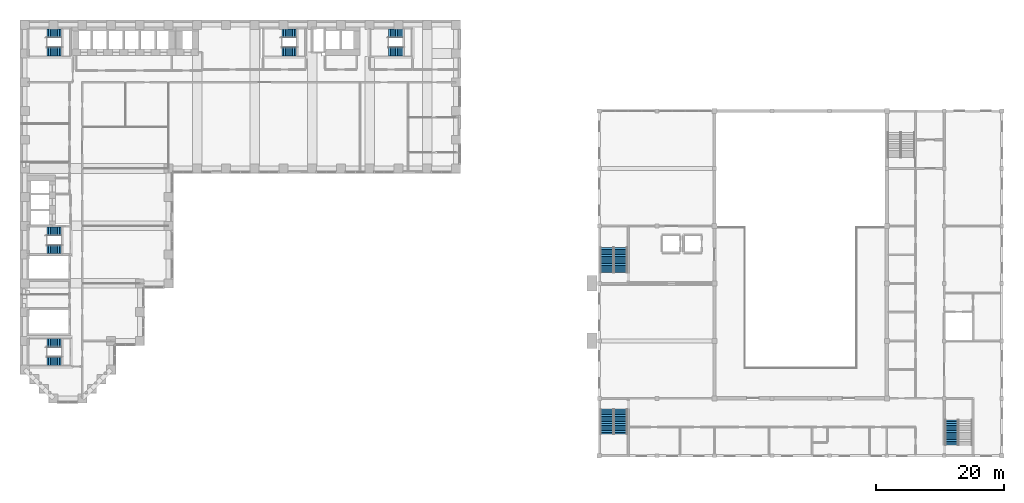
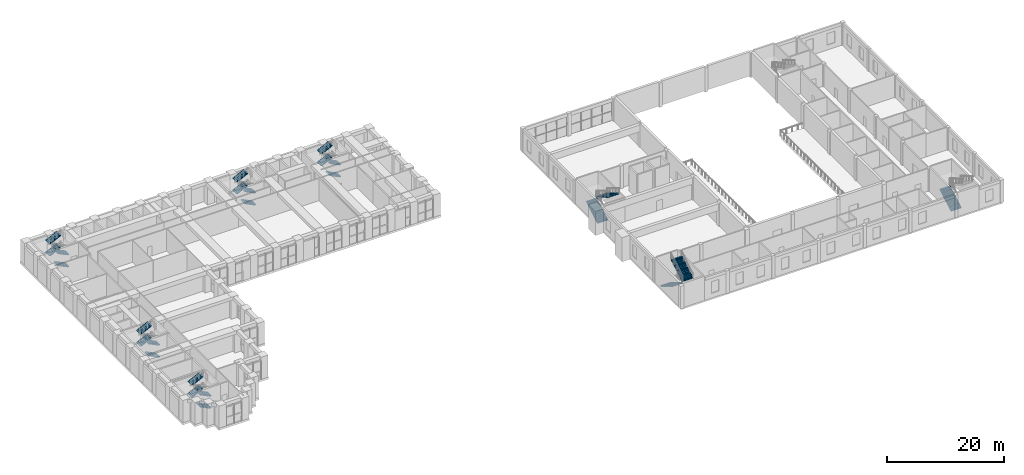
# One storey, part 27 of 34: 25 stair flights, 8 elements without a shape of their own.
"""IFC4 building model written with IfcOpenShell, lengths in metres."""

from ifc_helpers import new_model, si_unit, direction, frame, origin, place, context, subcontext, project, spatial, polyline, outline, extrude, material, layer, layer_set, type_object, element, aggregate, save


model = new_model("IFC4")

# Units and contexts
model_context = context("Model", 3, precision=1e-05, world=origin(), true_north=direction((0.0, 1.0)))
body_context = subcontext(model_context, "Body", "Model", "MODEL_VIEW")
ifc_project = project(units=[si_unit("LENGTHUNIT", "METRE"), si_unit("AREAUNIT", "SQUARE_METRE"), si_unit("VOLUMEUNIT", "CUBIC_METRE"), si_unit("PLANEANGLEUNIT", "RADIAN"), si_unit("MASSUNIT", "GRAM", prefix="KILO")], contexts=[model_context])

# Site, building, storey
site_placement = place(None, origin())
site = spatial("IfcSite", under=ifc_project, at=site_placement, CompositionType="ELEMENT")
building_placement = place(site_placement, origin())
building = spatial("IfcBuilding", under=site, at=building_placement, Name="Firuza Court", CompositionType="ELEMENT")
storey_placement = place(building_placement, frame((0.0, 0.0, 14.0)))
storey = spatial("IfcBuildingStorey", under=building, at=storey_placement, Name="L02", CompositionType="ELEMENT", Elevation=14.0)

# Stair, stair flights
ifc_material_1 = material(Name="Concrete C40/50 precast", Category="concrete")
stair_type_1 = type_object("IfcStairType", Name="Stair 1350 x 5000 4 flights", PredefinedType="QUARTER_TURN_STAIR", material=ifc_material_1)
stair_1_placement = place(storey_placement, origin())
stair_1 = element("IfcStair", 1, at=stair_1_placement, inside=storey, type_object=stair_type_1, Name="Stair 1 L02", PredefinedType="QUARTER_TURN_STAIR")
ifc_material_2 = material(Name="Concrete C40/50 precast", Category="concrete")
stair_flight_type_1 = type_object("IfcStairFlightType", Name="Flight 1350 riser 138.9", PredefinedType="STRAIGHT", material=ifc_material_2)
stair_flight_1_placement = place(storey_placement, frame((42.5, 54.324951171875, 0.0), z_axis=(0.0, 0.0, 1.0), x_axis=(-1.0, 0.0, 0.0)))
stair_flight_1 = element("IfcStairFlight", 2, at=stair_flight_1_placement, type_object=stair_flight_type_1, Name="S1 flight 1", NumberOfRisers=9, NumberOfTreads=8, PredefinedType="STRAIGHT", RiserHeight=0.138888889, TreadLength=0.28, context=body_context, shape_type="SweptSolid", body=[
    extrude(outline(polyline([(0.0, 0.0), (0.0, 0.138916015625), (0.280029296875, 0.138916015625), (0.280029296875, 0.27783203125), (0.56005859375, 0.27783203125), (0.56005859375, 0.416748046875), (0.840087890625, 0.416748046875), (0.840087890625, 0.5556640625), (1.1201171875, 0.5556640625), (1.1201171875, 0.6943359375), (1.39990234375, 0.6943359375), (1.39990234375, 0.833251953125), (1.679931640625, 0.833251953125), (1.679931640625, 0.97216796875), (1.9599609375, 0.97216796875), (1.9599609375, 1.111083984375), (2.239990234375, 1.111083984375), (2.239990234375, 1.25), (2.239990234375, 0.94384765625), (0.33740234375, 0.0), (0.0, 0.0)])), frame((0.0, 0.675048828125, 0.0), z_axis=(0.0, -1.0, 0.0), x_axis=(1.0, 0.0, 0.0)), (0.0, 0.0, 1.0), 1.35009765625),
])
stair_flight_2_placement = place(storey_placement, frame((40.260009765625, 57.175048828125, 1.25), z_axis=(0.0, 0.0, 1.0), x_axis=(1.0, 0.0, 0.0)))
stair_flight_2 = element("IfcStairFlight", 3, at=stair_flight_2_placement, type_object=stair_flight_type_1, Name="S1 flight 2", NumberOfRisers=9, NumberOfTreads=8, PredefinedType="STRAIGHT", RiserHeight=0.138888889, TreadLength=0.28, context=body_context, shape_type="SweptSolid", body=[
    extrude(outline(polyline([(0.0, 0.0), (0.0, 0.138916015625), (0.280029296875, 0.138916015625), (0.280029296875, 0.27783203125), (0.56005859375, 0.27783203125), (0.56005859375, 0.416748046875), (0.840087890625, 0.416748046875), (0.840087890625, 0.5556640625), (1.1201171875, 0.5556640625), (1.1201171875, 0.6943359375), (1.39990234375, 0.6943359375), (1.39990234375, 0.833251953125), (1.679931640625, 0.833251953125), (1.679931640625, 0.97216796875), (1.9599609375, 0.97216796875), (1.9599609375, 1.111083984375), (2.239990234375, 1.111083984375), (2.239990234375, 1.25), (2.239990234375, 0.94384765625), (0.33740234375, 0.0), (0.0, 0.0)])), frame((0.0, 0.675048828125, 0.0), z_axis=(0.0, -1.0, 0.0), x_axis=(1.0, 0.0, 0.0)), (0.0, 0.0, 1.0), 1.35009765625),
])
stair_flight_3_placement = place(storey_placement, frame((42.5, 54.324951171875, 2.5), z_axis=(0.0, 0.0, 1.0), x_axis=(-1.0, 0.0, 0.0)))
stair_flight_3 = element("IfcStairFlight", 4, at=stair_flight_3_placement, type_object=stair_flight_type_1, Name="S1 flight 3", NumberOfRisers=9, NumberOfTreads=8, PredefinedType="STRAIGHT", RiserHeight=0.138888889, TreadLength=0.28, context=body_context, shape_type="SweptSolid", body=[
    extrude(outline(polyline([(0.0, 0.0), (0.0, 0.138916015625), (0.280029296875, 0.138916015625), (0.280029296875, 0.27783203125), (0.56005859375, 0.27783203125), (0.56005859375, 0.416748046875), (0.840087890625, 0.416748046875), (0.840087890625, 0.5556640625), (1.1201171875, 0.5556640625), (1.1201171875, 0.6943359375), (1.39990234375, 0.6943359375), (1.39990234375, 0.833251953125), (1.679931640625, 0.833251953125), (1.679931640625, 0.97216796875), (1.9599609375, 0.97216796875), (1.9599609375, 1.111083984375), (2.239990234375, 1.111083984375), (2.239990234375, 1.25), (2.239990234375, 0.94384765625), (0.33740234375, 0.0), (0.0, 0.0)])), frame((0.0, 0.675048828125, 0.0), z_axis=(0.0, -1.0, 0.0), x_axis=(1.0, 0.0, 0.0)), (0.0, 0.0, 1.0), 1.35009765625),
])
stair_flight_4_placement = place(storey_placement, frame((40.260009765625, 57.175048828125, 3.75), z_axis=(0.0, 0.0, 1.0), x_axis=(1.0, 0.0, 0.0)))
stair_flight_4 = element("IfcStairFlight", 5, at=stair_flight_4_placement, type_object=stair_flight_type_1, Name="S1 flight 4", NumberOfRisers=9, NumberOfTreads=8, PredefinedType="STRAIGHT", RiserHeight=0.138888889, TreadLength=0.28, context=body_context, shape_type="SweptSolid", body=[
    extrude(outline(polyline([(0.0, 0.0), (0.0, 0.138916015625), (0.280029296875, 0.138916015625), (0.280029296875, 0.27783203125), (0.56005859375, 0.27783203125), (0.56005859375, 0.416748046875), (0.840087890625, 0.416748046875), (0.840087890625, 0.5556640625), (1.1201171875, 0.5556640625), (1.1201171875, 0.6943359375), (1.39990234375, 0.6943359375), (1.39990234375, 0.833251953125), (1.679931640625, 0.833251953125), (1.679931640625, 0.97216796875), (1.9599609375, 0.97216796875), (1.9599609375, 1.111083984375), (2.239990234375, 1.111083984375), (2.239990234375, 1.25), (2.239990234375, 0.94384765625), (0.33740234375, 0.0), (0.0, 0.0)])), frame((0.0, 0.675048828125, 0.0), z_axis=(0.0, -1.0, 0.0), x_axis=(1.0, 0.0, 0.0)), (0.0, 0.0, 1.0), 1.35009765625),
])
aggregate(stair_1, [stair_flight_1, stair_flight_2, stair_flight_3, stair_flight_4])

stair_2_placement = place(storey_placement, origin())
stair_2 = element("IfcStair", 6, at=stair_2_placement, inside=storey, type_object=stair_type_1, Name="Stair 2 L02", PredefinedType="QUARTER_TURN_STAIR")
stair_flight_5_placement = place(storey_placement, frame((5.699951171875, 23.324951171875, 0.0), z_axis=(0.0, 0.0, 1.0), x_axis=(-1.0, 0.0, 0.0)))
stair_flight_5 = element("IfcStairFlight", 7, at=stair_flight_5_placement, type_object=stair_flight_type_1, Name="S2 flight 1", NumberOfRisers=9, NumberOfTreads=8, PredefinedType="STRAIGHT", RiserHeight=0.138888889, TreadLength=0.28, context=body_context, shape_type="SweptSolid", body=[
    extrude(outline(polyline([(0.0, 0.0), (0.0, 0.138916015625), (0.280029296875, 0.138916015625), (0.280029296875, 0.27783203125), (0.56005859375, 0.27783203125), (0.56005859375, 0.416748046875), (0.840087890625, 0.416748046875), (0.840087890625, 0.5556640625), (1.1201171875, 0.5556640625), (1.1201171875, 0.6943359375), (1.39990234375, 0.6943359375), (1.39990234375, 0.833251953125), (1.679931640625, 0.833251953125), (1.679931640625, 0.97216796875), (1.9599609375, 0.97216796875), (1.9599609375, 1.111083984375), (2.239990234375, 1.111083984375), (2.239990234375, 1.25), (2.239990234375, 0.94384765625), (0.33740234375, 0.0), (0.0, 0.0)])), frame((0.0, 0.675048828125, 0.0), z_axis=(0.0, -1.0, 0.0), x_axis=(1.0, 0.0, 0.0)), (0.0, 0.0, 1.0), 1.35009765625),
])
stair_flight_6_placement = place(storey_placement, frame((3.4599609375, 26.175048828125, 1.25), z_axis=(0.0, 0.0, 1.0), x_axis=(1.0, 0.0, 0.0)))
stair_flight_6 = element("IfcStairFlight", 8, at=stair_flight_6_placement, type_object=stair_flight_type_1, Name="S2 flight 2", NumberOfRisers=9, NumberOfTreads=8, PredefinedType="STRAIGHT", RiserHeight=0.138888889, TreadLength=0.28, context=body_context, shape_type="SweptSolid", body=[
    extrude(outline(polyline([(0.0, 0.0), (0.0, 0.138916015625), (0.280029296875, 0.138916015625), (0.280029296875, 0.27783203125), (0.56005859375, 0.27783203125), (0.56005859375, 0.416748046875), (0.840087890625, 0.416748046875), (0.840087890625, 0.5556640625), (1.1201171875, 0.5556640625), (1.1201171875, 0.6943359375), (1.39990234375, 0.6943359375), (1.39990234375, 0.833251953125), (1.679931640625, 0.833251953125), (1.679931640625, 0.97216796875), (1.9599609375, 0.97216796875), (1.9599609375, 1.111083984375), (2.239990234375, 1.111083984375), (2.239990234375, 1.25), (2.239990234375, 0.94384765625), (0.33740234375, 0.0), (0.0, 0.0)])), frame((0.0, 0.675048828125, 0.0), z_axis=(0.0, -1.0, 0.0), x_axis=(1.0, 0.0, 0.0)), (0.0, 0.0, 1.0), 1.35009765625),
])
stair_flight_7_placement = place(storey_placement, frame((5.699951171875, 23.324951171875, 2.5), z_axis=(0.0, 0.0, 1.0), x_axis=(-1.0, 0.0, 0.0)))
stair_flight_7 = element("IfcStairFlight", 9, at=stair_flight_7_placement, type_object=stair_flight_type_1, Name="S2 flight 3", NumberOfRisers=9, NumberOfTreads=8, PredefinedType="STRAIGHT", RiserHeight=0.138888889, TreadLength=0.28, context=body_context, shape_type="SweptSolid", body=[
    extrude(outline(polyline([(0.0, 0.0), (0.0, 0.138916015625), (0.280029296875, 0.138916015625), (0.280029296875, 0.27783203125), (0.56005859375, 0.27783203125), (0.56005859375, 0.416748046875), (0.840087890625, 0.416748046875), (0.840087890625, 0.5556640625), (1.1201171875, 0.5556640625), (1.1201171875, 0.6943359375), (1.39990234375, 0.6943359375), (1.39990234375, 0.833251953125), (1.679931640625, 0.833251953125), (1.679931640625, 0.97216796875), (1.9599609375, 0.97216796875), (1.9599609375, 1.111083984375), (2.239990234375, 1.111083984375), (2.239990234375, 1.25), (2.239990234375, 0.94384765625), (0.33740234375, 0.0), (0.0, 0.0)])), frame((0.0, 0.675048828125, 0.0), z_axis=(0.0, -1.0, 0.0), x_axis=(1.0, 0.0, 0.0)), (0.0, 0.0, 1.0), 1.35009765625),
])
stair_flight_8_placement = place(storey_placement, frame((3.4599609375, 26.175048828125, 3.75), z_axis=(0.0, 0.0, 1.0), x_axis=(1.0, 0.0, 0.0)))
stair_flight_8 = element("IfcStairFlight", 10, at=stair_flight_8_placement, type_object=stair_flight_type_1, Name="S2 flight 4", NumberOfRisers=9, NumberOfTreads=8, PredefinedType="STRAIGHT", RiserHeight=0.138888889, TreadLength=0.28, context=body_context, shape_type="SweptSolid", body=[
    extrude(outline(polyline([(0.0, 0.0), (0.0, 0.138916015625), (0.280029296875, 0.138916015625), (0.280029296875, 0.27783203125), (0.56005859375, 0.27783203125), (0.56005859375, 0.416748046875), (0.840087890625, 0.416748046875), (0.840087890625, 0.5556640625), (1.1201171875, 0.5556640625), (1.1201171875, 0.6943359375), (1.39990234375, 0.6943359375), (1.39990234375, 0.833251953125), (1.679931640625, 0.833251953125), (1.679931640625, 0.97216796875), (1.9599609375, 0.97216796875), (1.9599609375, 1.111083984375), (2.239990234375, 1.111083984375), (2.239990234375, 1.25), (2.239990234375, 0.94384765625), (0.33740234375, 0.0), (0.0, 0.0)])), frame((0.0, 0.675048828125, 0.0), z_axis=(0.0, -1.0, 0.0), x_axis=(1.0, 0.0, 0.0)), (0.0, 0.0, 1.0), 1.35009765625),
])
aggregate(stair_2, [stair_flight_5, stair_flight_6, stair_flight_7, stair_flight_8])

stair_3_placement = place(storey_placement, origin())
stair_3 = element("IfcStair", 11, at=stair_3_placement, inside=storey, type_object=stair_type_1, Name="Stair 3 L02", PredefinedType="QUARTER_TURN_STAIR")
stair_flight_9_placement = place(storey_placement, frame((5.699951171875, 54.324951171875, 0.0), z_axis=(0.0, 0.0, 1.0), x_axis=(-1.0, 0.0, 0.0)))
stair_flight_9 = element("IfcStairFlight", 12, at=stair_flight_9_placement, type_object=stair_flight_type_1, Name="S3 flight 1", NumberOfRisers=9, NumberOfTreads=8, PredefinedType="STRAIGHT", RiserHeight=0.138888889, TreadLength=0.28, context=body_context, shape_type="SweptSolid", body=[
    extrude(outline(polyline([(0.0, 0.0), (0.0, 0.138916015625), (0.280029296875, 0.138916015625), (0.280029296875, 0.27783203125), (0.56005859375, 0.27783203125), (0.56005859375, 0.416748046875), (0.840087890625, 0.416748046875), (0.840087890625, 0.5556640625), (1.1201171875, 0.5556640625), (1.1201171875, 0.6943359375), (1.39990234375, 0.6943359375), (1.39990234375, 0.833251953125), (1.679931640625, 0.833251953125), (1.679931640625, 0.97216796875), (1.9599609375, 0.97216796875), (1.9599609375, 1.111083984375), (2.239990234375, 1.111083984375), (2.239990234375, 1.25), (2.239990234375, 0.94384765625), (0.33740234375, 0.0), (0.0, 0.0)])), frame((0.0, 0.675048828125, 0.0), z_axis=(0.0, -1.0, 0.0), x_axis=(1.0, 0.0, 0.0)), (0.0, 0.0, 1.0), 1.35009765625),
])
stair_flight_10_placement = place(storey_placement, frame((3.4599609375, 57.175048828125, 1.25), z_axis=(0.0, 0.0, 1.0), x_axis=(1.0, 0.0, 0.0)))
stair_flight_10 = element("IfcStairFlight", 13, at=stair_flight_10_placement, type_object=stair_flight_type_1, Name="S3 flight 2", NumberOfRisers=9, NumberOfTreads=8, PredefinedType="STRAIGHT", RiserHeight=0.138888889, TreadLength=0.28, context=body_context, shape_type="SweptSolid", body=[
    extrude(outline(polyline([(0.0, 0.0), (0.0, 0.138916015625), (0.280029296875, 0.138916015625), (0.280029296875, 0.27783203125), (0.56005859375, 0.27783203125), (0.56005859375, 0.416748046875), (0.840087890625, 0.416748046875), (0.840087890625, 0.5556640625), (1.1201171875, 0.5556640625), (1.1201171875, 0.6943359375), (1.39990234375, 0.6943359375), (1.39990234375, 0.833251953125), (1.679931640625, 0.833251953125), (1.679931640625, 0.97216796875), (1.9599609375, 0.97216796875), (1.9599609375, 1.111083984375), (2.239990234375, 1.111083984375), (2.239990234375, 1.25), (2.239990234375, 0.94384765625), (0.33740234375, 0.0), (0.0, 0.0)])), frame((0.0, 0.675048828125, 0.0), z_axis=(0.0, -1.0, 0.0), x_axis=(1.0, 0.0, 0.0)), (0.0, 0.0, 1.0), 1.35009765625),
])
stair_flight_11_placement = place(storey_placement, frame((5.699951171875, 54.324951171875, 2.5), z_axis=(0.0, 0.0, 1.0), x_axis=(-1.0, 0.0, 0.0)))
stair_flight_11 = element("IfcStairFlight", 14, at=stair_flight_11_placement, type_object=stair_flight_type_1, Name="S3 flight 3", NumberOfRisers=9, NumberOfTreads=8, PredefinedType="STRAIGHT", RiserHeight=0.138888889, TreadLength=0.28, context=body_context, shape_type="SweptSolid", body=[
    extrude(outline(polyline([(0.0, 0.0), (0.0, 0.138916015625), (0.280029296875, 0.138916015625), (0.280029296875, 0.27783203125), (0.56005859375, 0.27783203125), (0.56005859375, 0.416748046875), (0.840087890625, 0.416748046875), (0.840087890625, 0.5556640625), (1.1201171875, 0.5556640625), (1.1201171875, 0.6943359375), (1.39990234375, 0.6943359375), (1.39990234375, 0.833251953125), (1.679931640625, 0.833251953125), (1.679931640625, 0.97216796875), (1.9599609375, 0.97216796875), (1.9599609375, 1.111083984375), (2.239990234375, 1.111083984375), (2.239990234375, 1.25), (2.239990234375, 0.94384765625), (0.33740234375, 0.0), (0.0, 0.0)])), frame((0.0, 0.675048828125, 0.0), z_axis=(0.0, -1.0, 0.0), x_axis=(1.0, 0.0, 0.0)), (0.0, 0.0, 1.0), 1.35009765625),
])
stair_flight_12_placement = place(storey_placement, frame((3.4599609375, 57.175048828125, 3.75), z_axis=(0.0, 0.0, 1.0), x_axis=(1.0, 0.0, 0.0)))
stair_flight_12 = element("IfcStairFlight", 15, at=stair_flight_12_placement, type_object=stair_flight_type_1, Name="S3 flight 4", NumberOfRisers=9, NumberOfTreads=8, PredefinedType="STRAIGHT", RiserHeight=0.138888889, TreadLength=0.28, context=body_context, shape_type="SweptSolid", body=[
    extrude(outline(polyline([(0.0, 0.0), (0.0, 0.138916015625), (0.280029296875, 0.138916015625), (0.280029296875, 0.27783203125), (0.56005859375, 0.27783203125), (0.56005859375, 0.416748046875), (0.840087890625, 0.416748046875), (0.840087890625, 0.5556640625), (1.1201171875, 0.5556640625), (1.1201171875, 0.6943359375), (1.39990234375, 0.6943359375), (1.39990234375, 0.833251953125), (1.679931640625, 0.833251953125), (1.679931640625, 0.97216796875), (1.9599609375, 0.97216796875), (1.9599609375, 1.111083984375), (2.239990234375, 1.111083984375), (2.239990234375, 1.25), (2.239990234375, 0.94384765625), (0.33740234375, 0.0), (0.0, 0.0)])), frame((0.0, 0.675048828125, 0.0), z_axis=(0.0, -1.0, 0.0), x_axis=(1.0, 0.0, 0.0)), (0.0, 0.0, 1.0), 1.35009765625),
])
aggregate(stair_3, [stair_flight_9, stair_flight_10, stair_flight_11, stair_flight_12])

stair_4_placement = place(storey_placement, origin())
stair_4 = element("IfcStair", 16, at=stair_4_placement, inside=storey, type_object=stair_type_1, Name="Stair 4 L02", PredefinedType="QUARTER_TURN_STAIR")
stair_flight_13_placement = place(storey_placement, frame((59.199951171875, 54.324951171875, 0.0), z_axis=(0.0, 0.0, 1.0), x_axis=(-1.0, 0.0, 0.0)))
stair_flight_13 = element("IfcStairFlight", 17, at=stair_flight_13_placement, type_object=stair_flight_type_1, Name="S4 flight 1", NumberOfRisers=9, NumberOfTreads=8, PredefinedType="STRAIGHT", RiserHeight=0.138888889, TreadLength=0.28, context=body_context, shape_type="SweptSolid", body=[
    extrude(outline(polyline([(0.0, 0.0), (0.0, 0.138916015625), (0.280029296875, 0.138916015625), (0.280029296875, 0.27783203125), (0.56005859375, 0.27783203125), (0.56005859375, 0.416748046875), (0.840087890625, 0.416748046875), (0.840087890625, 0.5556640625), (1.1201171875, 0.5556640625), (1.1201171875, 0.6943359375), (1.39990234375, 0.6943359375), (1.39990234375, 0.833251953125), (1.679931640625, 0.833251953125), (1.679931640625, 0.97216796875), (1.9599609375, 0.97216796875), (1.9599609375, 1.111083984375), (2.239990234375, 1.111083984375), (2.239990234375, 1.25), (2.239990234375, 0.94384765625), (0.33740234375, 0.0), (0.0, 0.0)])), frame((0.0, 0.675048828125, 0.0), z_axis=(0.0, -1.0, 0.0), x_axis=(1.0, 0.0, 0.0)), (0.0, 0.0, 1.0), 1.35009765625),
])
stair_flight_14_placement = place(storey_placement, frame((56.9599609375, 57.175048828125, 1.25), z_axis=(0.0, 0.0, 1.0), x_axis=(1.0, 0.0, 0.0)))
stair_flight_14 = element("IfcStairFlight", 18, at=stair_flight_14_placement, type_object=stair_flight_type_1, Name="S4 flight 2", NumberOfRisers=9, NumberOfTreads=8, PredefinedType="STRAIGHT", RiserHeight=0.138888889, TreadLength=0.28, context=body_context, shape_type="SweptSolid", body=[
    extrude(outline(polyline([(0.0, 0.0), (0.0, 0.138916015625), (0.280029296875, 0.138916015625), (0.280029296875, 0.27783203125), (0.56005859375, 0.27783203125), (0.56005859375, 0.416748046875), (0.840087890625, 0.416748046875), (0.840087890625, 0.5556640625), (1.1201171875, 0.5556640625), (1.1201171875, 0.6943359375), (1.39990234375, 0.6943359375), (1.39990234375, 0.833251953125), (1.679931640625, 0.833251953125), (1.679931640625, 0.97216796875), (1.9599609375, 0.97216796875), (1.9599609375, 1.111083984375), (2.239990234375, 1.111083984375), (2.239990234375, 1.25), (2.239990234375, 0.94384765625), (0.33740234375, 0.0), (0.0, 0.0)])), frame((0.0, 0.675048828125, 0.0), z_axis=(0.0, -1.0, 0.0), x_axis=(1.0, 0.0, 0.0)), (0.0, 0.0, 1.0), 1.35009765625),
])
stair_flight_15_placement = place(storey_placement, frame((59.199951171875, 54.324951171875, 2.5), z_axis=(0.0, 0.0, 1.0), x_axis=(-1.0, 0.0, 0.0)))
stair_flight_15 = element("IfcStairFlight", 19, at=stair_flight_15_placement, type_object=stair_flight_type_1, Name="S4 flight 3", NumberOfRisers=9, NumberOfTreads=8, PredefinedType="STRAIGHT", RiserHeight=0.138888889, TreadLength=0.28, context=body_context, shape_type="SweptSolid", body=[
    extrude(outline(polyline([(0.0, 0.0), (0.0, 0.138916015625), (0.280029296875, 0.138916015625), (0.280029296875, 0.27783203125), (0.56005859375, 0.27783203125), (0.56005859375, 0.416748046875), (0.840087890625, 0.416748046875), (0.840087890625, 0.5556640625), (1.1201171875, 0.5556640625), (1.1201171875, 0.6943359375), (1.39990234375, 0.6943359375), (1.39990234375, 0.833251953125), (1.679931640625, 0.833251953125), (1.679931640625, 0.97216796875), (1.9599609375, 0.97216796875), (1.9599609375, 1.111083984375), (2.239990234375, 1.111083984375), (2.239990234375, 1.25), (2.239990234375, 0.94384765625), (0.33740234375, 0.0), (0.0, 0.0)])), frame((0.0, 0.675048828125, 0.0), z_axis=(0.0, -1.0, 0.0), x_axis=(1.0, 0.0, 0.0)), (0.0, 0.0, 1.0), 1.35009765625),
])
stair_flight_16_placement = place(storey_placement, frame((56.9599609375, 57.175048828125, 3.75), z_axis=(0.0, 0.0, 1.0), x_axis=(1.0, 0.0, 0.0)))
stair_flight_16 = element("IfcStairFlight", 20, at=stair_flight_16_placement, type_object=stair_flight_type_1, Name="S4 flight 4", NumberOfRisers=9, NumberOfTreads=8, PredefinedType="STRAIGHT", RiserHeight=0.138888889, TreadLength=0.28, context=body_context, shape_type="SweptSolid", body=[
    extrude(outline(polyline([(0.0, 0.0), (0.0, 0.138916015625), (0.280029296875, 0.138916015625), (0.280029296875, 0.27783203125), (0.56005859375, 0.27783203125), (0.56005859375, 0.416748046875), (0.840087890625, 0.416748046875), (0.840087890625, 0.5556640625), (1.1201171875, 0.5556640625), (1.1201171875, 0.6943359375), (1.39990234375, 0.6943359375), (1.39990234375, 0.833251953125), (1.679931640625, 0.833251953125), (1.679931640625, 0.97216796875), (1.9599609375, 0.97216796875), (1.9599609375, 1.111083984375), (2.239990234375, 1.111083984375), (2.239990234375, 1.25), (2.239990234375, 0.94384765625), (0.33740234375, 0.0), (0.0, 0.0)])), frame((0.0, 0.675048828125, 0.0), z_axis=(0.0, -1.0, 0.0), x_axis=(1.0, 0.0, 0.0)), (0.0, 0.0, 1.0), 1.35009765625),
])
aggregate(stair_4, [stair_flight_13, stair_flight_14, stair_flight_15, stair_flight_16])

stair_5_placement = place(storey_placement, origin())
stair_5 = element("IfcStair", 21, at=stair_5_placement, inside=storey, type_object=stair_type_1, Name="Stair 5 L02", PredefinedType="QUARTER_TURN_STAIR")
stair_flight_17_placement = place(storey_placement, frame((5.699951171875, 5.824951171875, 0.0), z_axis=(0.0, 0.0, 1.0), x_axis=(-1.0, 0.0, 0.0)))
stair_flight_17 = element("IfcStairFlight", 22, at=stair_flight_17_placement, type_object=stair_flight_type_1, Name="S5 flight 1", NumberOfRisers=9, NumberOfTreads=8, PredefinedType="STRAIGHT", RiserHeight=0.138888889, TreadLength=0.28, context=body_context, shape_type="SweptSolid", body=[
    extrude(outline(polyline([(0.0, 0.0), (0.0, 0.138916015625), (0.280029296875, 0.138916015625), (0.280029296875, 0.27783203125), (0.56005859375, 0.27783203125), (0.56005859375, 0.416748046875), (0.840087890625, 0.416748046875), (0.840087890625, 0.5556640625), (1.1201171875, 0.5556640625), (1.1201171875, 0.6943359375), (1.39990234375, 0.6943359375), (1.39990234375, 0.833251953125), (1.679931640625, 0.833251953125), (1.679931640625, 0.97216796875), (1.9599609375, 0.97216796875), (1.9599609375, 1.111083984375), (2.239990234375, 1.111083984375), (2.239990234375, 1.25), (2.239990234375, 0.94384765625), (0.33740234375, 0.0), (0.0, 0.0)])), frame((0.0, 0.675048828125, 0.0), z_axis=(0.0, -1.0, 0.0), x_axis=(1.0, 0.0, 0.0)), (0.0, 0.0, 1.0), 1.35009765625),
])
stair_flight_18_placement = place(storey_placement, frame((3.4599609375, 8.675048828125, 1.25), z_axis=(0.0, 0.0, 1.0), x_axis=(1.0, 0.0, 0.0)))
stair_flight_18 = element("IfcStairFlight", 23, at=stair_flight_18_placement, type_object=stair_flight_type_1, Name="S5 flight 2", NumberOfRisers=9, NumberOfTreads=8, PredefinedType="STRAIGHT", RiserHeight=0.138888889, TreadLength=0.28, context=body_context, shape_type="SweptSolid", body=[
    extrude(outline(polyline([(0.0, 0.0), (0.0, 0.138916015625), (0.280029296875, 0.138916015625), (0.280029296875, 0.27783203125), (0.56005859375, 0.27783203125), (0.56005859375, 0.416748046875), (0.840087890625, 0.416748046875), (0.840087890625, 0.5556640625), (1.1201171875, 0.5556640625), (1.1201171875, 0.6943359375), (1.39990234375, 0.6943359375), (1.39990234375, 0.833251953125), (1.679931640625, 0.833251953125), (1.679931640625, 0.97216796875), (1.9599609375, 0.97216796875), (1.9599609375, 1.111083984375), (2.239990234375, 1.111083984375), (2.239990234375, 1.25), (2.239990234375, 0.94384765625), (0.33740234375, 0.0), (0.0, 0.0)])), frame((0.0, 0.675048828125, 0.0), z_axis=(0.0, -1.0, 0.0), x_axis=(1.0, 0.0, 0.0)), (0.0, 0.0, 1.0), 1.35009765625),
])
stair_flight_19_placement = place(storey_placement, frame((5.699951171875, 5.824951171875, 2.5), z_axis=(0.0, 0.0, 1.0), x_axis=(-1.0, 0.0, 0.0)))
stair_flight_19 = element("IfcStairFlight", 24, at=stair_flight_19_placement, type_object=stair_flight_type_1, Name="S5 flight 3", NumberOfRisers=9, NumberOfTreads=8, PredefinedType="STRAIGHT", RiserHeight=0.138888889, TreadLength=0.28, context=body_context, shape_type="SweptSolid", body=[
    extrude(outline(polyline([(0.0, 0.0), (0.0, 0.138916015625), (0.280029296875, 0.138916015625), (0.280029296875, 0.27783203125), (0.56005859375, 0.27783203125), (0.56005859375, 0.416748046875), (0.840087890625, 0.416748046875), (0.840087890625, 0.5556640625), (1.1201171875, 0.5556640625), (1.1201171875, 0.6943359375), (1.39990234375, 0.6943359375), (1.39990234375, 0.833251953125), (1.679931640625, 0.833251953125), (1.679931640625, 0.97216796875), (1.9599609375, 0.97216796875), (1.9599609375, 1.111083984375), (2.239990234375, 1.111083984375), (2.239990234375, 1.25), (2.239990234375, 0.94384765625), (0.33740234375, 0.0), (0.0, 0.0)])), frame((0.0, 0.675048828125, 0.0), z_axis=(0.0, -1.0, 0.0), x_axis=(1.0, 0.0, 0.0)), (0.0, 0.0, 1.0), 1.35009765625),
])
stair_flight_20_placement = place(storey_placement, frame((3.4599609375, 8.675048828125, 3.75), z_axis=(0.0, 0.0, 1.0), x_axis=(1.0, 0.0, 0.0)))
stair_flight_20 = element("IfcStairFlight", 25, at=stair_flight_20_placement, type_object=stair_flight_type_1, Name="S5 flight 4", NumberOfRisers=9, NumberOfTreads=8, PredefinedType="STRAIGHT", RiserHeight=0.138888889, TreadLength=0.28, context=body_context, shape_type="SweptSolid", body=[
    extrude(outline(polyline([(0.0, 0.0), (0.0, 0.138916015625), (0.280029296875, 0.138916015625), (0.280029296875, 0.27783203125), (0.56005859375, 0.27783203125), (0.56005859375, 0.416748046875), (0.840087890625, 0.416748046875), (0.840087890625, 0.5556640625), (1.1201171875, 0.5556640625), (1.1201171875, 0.6943359375), (1.39990234375, 0.6943359375), (1.39990234375, 0.833251953125), (1.679931640625, 0.833251953125), (1.679931640625, 0.97216796875), (1.9599609375, 0.97216796875), (1.9599609375, 1.111083984375), (2.239990234375, 1.111083984375), (2.239990234375, 1.25), (2.239990234375, 0.94384765625), (0.33740234375, 0.0), (0.0, 0.0)])), frame((0.0, 0.675048828125, 0.0), z_axis=(0.0, -1.0, 0.0), x_axis=(1.0, 0.0, 0.0)), (0.0, 0.0, 1.0), 1.35009765625),
])
aggregate(stair_5, [stair_flight_17, stair_flight_18, stair_flight_19, stair_flight_20])

ifc_material_3 = material(Name="Concrete C40/50", Category="concrete")
stair_type_2 = type_object("IfcStairType", Name="HALL STAIR", PredefinedType="NOTDEFINED", material=ifc_material_3)
stair_6_placement = place(storey_placement, origin())
stair_6 = element("IfcStair", 26, at=stair_6_placement, inside=storey, type_object=stair_type_2, Name="Stair H1 L02", PredefinedType="NOTDEFINED")
ifc_material_4 = material(Name="Concrete C40/50", Category="concrete")
ifc_layer = layer(ifc_material_4, 0.14990234375)
ifc_layer_set = layer_set([ifc_layer], Name="Concrete C40/50")
stair_flight_type_2 = type_object("IfcStairFlightType", Name="HALL STAIR FLIGHT", PredefinedType="STRAIGHT", material=ifc_layer_set)
stair_flight_21_placement = place(storey_placement, frame((91.16259765625, -1.699951171875, 0.0), z_axis=(0.0, 0.0, 1.0), x_axis=(0.0, -1.0, 0.0)))
stair_flight_21 = element("IfcStairFlight", 27, at=stair_flight_21_placement, type_object=stair_flight_type_2, Name="HS-1 flight 1", NumberOfRisers=15, NumberOfTreads=14, PredefinedType="STRAIGHT", RiserHeight=0.166666667, TreadLength=0.28, context=body_context, shape_type="SweptSolid", body=[
    extrude(outline(polyline([(0.0, 0.0), (0.0, 0.166748046875), (0.280029296875, 0.166748046875), (0.280029296875, 0.333251953125), (0.56005859375, 0.333251953125), (0.56005859375, 0.5), (0.840087890625, 0.5), (0.840087890625, 0.666748046875), (1.1201171875, 0.666748046875), (1.1201171875, 0.833251953125), (1.39990234375, 0.833251953125), (1.39990234375, 1.0), (1.679931640625, 1.0), (1.679931640625, 1.166748046875), (1.9599609375, 1.166748046875), (1.9599609375, 1.333251953125), (2.239990234375, 1.333251953125), (2.239990234375, 1.5), (2.52001953125, 1.5), (2.52001953125, 1.666748046875), (2.800048828125, 1.666748046875), (2.800048828125, 1.833251953125), (3.080078125, 1.833251953125), (3.080078125, 2.0), (3.360107421875, 2.0), (3.360107421875, 2.166748046875), (3.639892578125, 2.166748046875), (3.639892578125, 2.333251953125), (3.919921875, 2.333251953125), (3.919921875, 2.5), (3.919921875, 2.158935546875), (0.29296875, 0.0), (0.0, 0.0)])), frame((0.0, 1.03759765625, 0.0), z_axis=(0.0, -1.0, 0.0), x_axis=(1.0, 0.0, 0.0)), (0.0, 0.0, 1.0), 2.074951171875),
])
stair_flight_22_placement = place(storey_placement, frame((93.28759765625, -5.6201171875, 2.5), z_axis=(0.0, 0.0, 1.0), x_axis=(0.0, 1.0, 0.0)))
stair_flight_22 = element("IfcStairFlight", 28, at=stair_flight_22_placement, type_object=stair_flight_type_2, Name="HS-1 flight 2", NumberOfRisers=15, NumberOfTreads=14, PredefinedType="STRAIGHT", RiserHeight=0.166666667, TreadLength=0.28, context=body_context, shape_type="SweptSolid", body=[
    extrude(outline(polyline([(0.0, 0.0), (0.0, 0.166748046875), (0.280029296875, 0.166748046875), (0.280029296875, 0.333251953125), (0.56005859375, 0.333251953125), (0.56005859375, 0.5), (0.840087890625, 0.5), (0.840087890625, 0.666748046875), (1.1201171875, 0.666748046875), (1.1201171875, 0.833251953125), (1.39990234375, 0.833251953125), (1.39990234375, 1.0), (1.679931640625, 1.0), (1.679931640625, 1.166748046875), (1.9599609375, 1.166748046875), (1.9599609375, 1.333251953125), (2.239990234375, 1.333251953125), (2.239990234375, 1.5), (2.52001953125, 1.5), (2.52001953125, 1.666748046875), (2.800048828125, 1.666748046875), (2.800048828125, 1.833251953125), (3.080078125, 1.833251953125), (3.080078125, 2.0), (3.360107421875, 2.0), (3.360107421875, 2.166748046875), (3.639892578125, 2.166748046875), (3.639892578125, 2.333251953125), (3.919921875, 2.333251953125), (3.919921875, 2.5), (3.919921875, 2.158935546875), (0.29296875, 0.0), (0.0, 0.0)])), frame((0.0, 1.08740234375, 0.0), z_axis=(0.0, -1.0, 0.0), x_axis=(1.0, 0.0, 0.0)), (0.0, 0.0, 1.0), 2.175048828125),
])
aggregate(stair_6, [stair_flight_21, stair_flight_22])

# Stair, stair flight
stair_7_placement = place(storey_placement, origin())
stair_7 = element("IfcStair", 29, at=stair_7_placement, inside=storey, type_object=stair_type_2, Name="Stair H2 L02", PredefinedType="NOTDEFINED")
stair_flight_23_placement = place(storey_placement, frame((145.16259765625, -7.300048828125, 0.0), z_axis=(0.0, 0.0, 1.0), x_axis=(0.0, 1.0, 0.0)))
stair_flight_23 = element("IfcStairFlight", 30, at=stair_flight_23_placement, type_object=stair_flight_type_2, Name="HS-2 flight 1", NumberOfRisers=15, NumberOfTreads=14, PredefinedType="STRAIGHT", RiserHeight=0.166666667, TreadLength=0.28, context=body_context, shape_type="SweptSolid", body=[
    extrude(outline(polyline([(0.0, 0.0), (0.0, 0.166748046875), (0.280029296875, 0.166748046875), (0.280029296875, 0.333251953125), (0.56005859375, 0.333251953125), (0.56005859375, 0.5), (0.840087890625, 0.5), (0.840087890625, 0.666748046875), (1.1201171875, 0.666748046875), (1.1201171875, 0.833251953125), (1.39990234375, 0.833251953125), (1.39990234375, 1.0), (1.679931640625, 1.0), (1.679931640625, 1.166748046875), (1.9599609375, 1.166748046875), (1.9599609375, 1.333251953125), (2.239990234375, 1.333251953125), (2.239990234375, 1.5), (2.52001953125, 1.5), (2.52001953125, 1.666748046875), (2.800048828125, 1.666748046875), (2.800048828125, 1.833251953125), (3.080078125, 1.833251953125), (3.080078125, 2.0), (3.360107421875, 2.0), (3.360107421875, 2.166748046875), (3.639892578125, 2.166748046875), (3.639892578125, 2.333251953125), (3.919921875, 2.333251953125), (3.919921875, 2.5), (3.919921875, 2.158935546875), (0.29296875, 0.0), (0.0, 0.0)])), frame((0.0, 1.03759765625, 0.0), z_axis=(0.0, -1.0, 0.0), x_axis=(1.0, 0.0, 0.0)), (0.0, 0.0, 1.0), 2.074951171875),
])
aggregate(stair_7, [stair_flight_23])

# Stair, stair flights
stair_8_placement = place(storey_placement, origin())
stair_8 = element("IfcStair", 31, at=stair_8_placement, inside=storey, type_object=stair_type_2, Name="Stair H3 L02", PredefinedType="NOTDEFINED")
stair_flight_24_placement = place(storey_placement, frame((91.16259765625, 19.699951171875, 0.0), z_axis=(0.0, 0.0, 1.0), x_axis=(0.0, 1.0, 0.0)))
stair_flight_24 = element("IfcStairFlight", 32, at=stair_flight_24_placement, type_object=stair_flight_type_2, Name="HS-3 flight 1", NumberOfRisers=15, NumberOfTreads=14, PredefinedType="STRAIGHT", RiserHeight=0.166666667, TreadLength=0.28, context=body_context, shape_type="SweptSolid", body=[
    extrude(outline(polyline([(0.0, 0.0), (0.0, 0.166748046875), (0.280029296875, 0.166748046875), (0.280029296875, 0.333251953125), (0.56005859375, 0.333251953125), (0.56005859375, 0.5), (0.840087890625, 0.5), (0.840087890625, 0.666748046875), (1.1201171875, 0.666748046875), (1.1201171875, 0.833251953125), (1.39990234375, 0.833251953125), (1.39990234375, 1.0), (1.679931640625, 1.0), (1.679931640625, 1.166748046875), (1.9599609375, 1.166748046875), (1.9599609375, 1.333251953125), (2.239990234375, 1.333251953125), (2.239990234375, 1.5), (2.52001953125, 1.5), (2.52001953125, 1.666748046875), (2.800048828125, 1.666748046875), (2.800048828125, 1.833251953125), (3.080078125, 1.833251953125), (3.080078125, 2.0), (3.360107421875, 2.0), (3.360107421875, 2.166748046875), (3.639892578125, 2.166748046875), (3.639892578125, 2.333251953125), (3.919921875, 2.333251953125), (3.919921875, 2.5), (3.919921875, 2.158935546875), (0.29296875, 0.0), (0.0, 0.0)])), frame((0.0, 1.03759765625, 0.0), z_axis=(0.0, -1.0, 0.0), x_axis=(1.0, 0.0, 0.0)), (0.0, 0.0, 1.0), 2.074951171875),
])
stair_flight_25_placement = place(storey_placement, frame((93.28759765625, 23.6201171875, 2.5), z_axis=(0.0, 0.0, 1.0), x_axis=(0.0, -1.0, 0.0)))
stair_flight_25 = element("IfcStairFlight", 33, at=stair_flight_25_placement, type_object=stair_flight_type_2, Name="HS-3 flight 2", NumberOfRisers=15, NumberOfTreads=14, PredefinedType="STRAIGHT", RiserHeight=0.166666667, TreadLength=0.28, context=body_context, shape_type="SweptSolid", body=[
    extrude(outline(polyline([(0.0, 0.0), (0.0, 0.166748046875), (0.280029296875, 0.166748046875), (0.280029296875, 0.333251953125), (0.56005859375, 0.333251953125), (0.56005859375, 0.5), (0.840087890625, 0.5), (0.840087890625, 0.666748046875), (1.1201171875, 0.666748046875), (1.1201171875, 0.833251953125), (1.39990234375, 0.833251953125), (1.39990234375, 1.0), (1.679931640625, 1.0), (1.679931640625, 1.166748046875), (1.9599609375, 1.166748046875), (1.9599609375, 1.333251953125), (2.239990234375, 1.333251953125), (2.239990234375, 1.5), (2.52001953125, 1.5), (2.52001953125, 1.666748046875), (2.800048828125, 1.666748046875), (2.800048828125, 1.833251953125), (3.080078125, 1.833251953125), (3.080078125, 2.0), (3.360107421875, 2.0), (3.360107421875, 2.166748046875), (3.639892578125, 2.166748046875), (3.639892578125, 2.333251953125), (3.919921875, 2.333251953125), (3.919921875, 2.5), (3.919921875, 2.158935546875), (0.29296875, 0.0), (0.0, 0.0)])), frame((0.0, 1.08740234375, 0.0), z_axis=(0.0, -1.0, 0.0), x_axis=(1.0, 0.0, 0.0)), (0.0, 0.0, 1.0), 2.175048828125),
])
aggregate(stair_8, [stair_flight_24, stair_flight_25])

save(model, "model.ifc")
